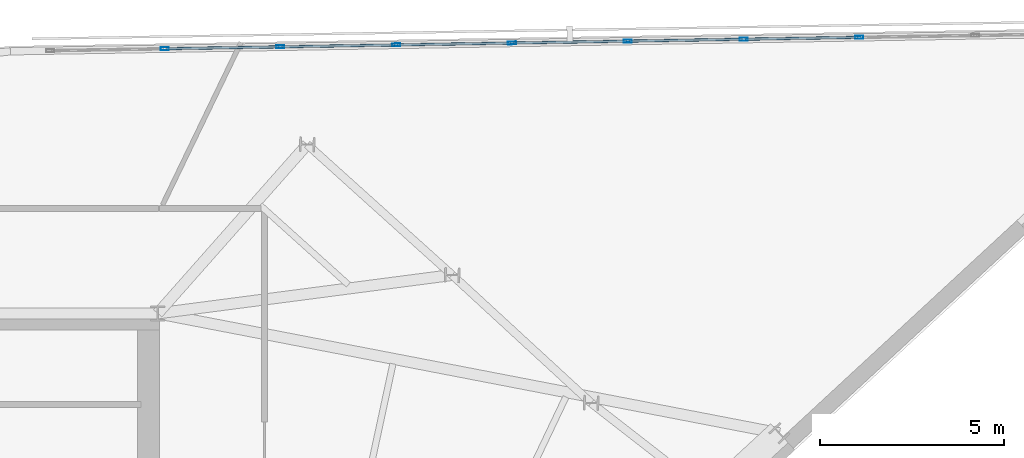
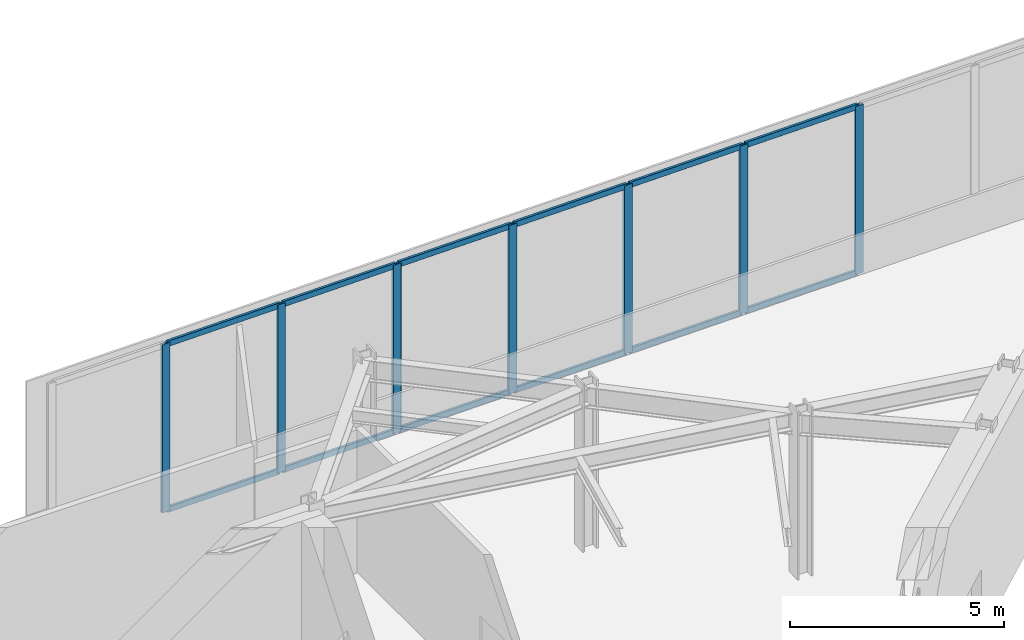
# One storey, part 6 of 12: 19 members, 1 element without a shape of its own.
"""IFC4 building model written with IfcOpenShell, lengths in metres."""

from ifc_helpers import new_model, si_unit, direction, frame, origin, origin_2d, place, context, subcontext, project, spatial, hollow_rectangle, extrude, material, material_profile, profile_set, type_object, element, aggregate, save


model = new_model("IFC4")

# Units and contexts
model_context = context("Model", 3, precision=1e-05, world=origin(), true_north=direction((0.0, 1.0)))
body_context = subcontext(model_context, "Body", "Model", "MODEL_VIEW")
ifc_project = project(units=[si_unit("LENGTHUNIT", "METRE"), si_unit("AREAUNIT", "SQUARE_METRE"), si_unit("VOLUMEUNIT", "CUBIC_METRE"), si_unit("PLANEANGLEUNIT", "RADIAN"), si_unit("MASSUNIT", "GRAM", prefix="KILO")], contexts=[model_context])

# Site, building, storey
site_placement = place(None, origin())
site = spatial("IfcSite", under=ifc_project, at=site_placement, CompositionType="ELEMENT")
building_placement = place(site_placement, origin())
building = spatial("IfcBuilding", under=site, at=building_placement, Name="Narakoshi Arena Tower", CompositionType="ELEMENT")
storey_placement = place(building_placement, frame((0.0, 0.0, 302.97998046875)))
storey = spatial("IfcBuildingStorey", under=building, at=storey_placement, Name="L82", CompositionType="ELEMENT", Elevation=302.97998046875)

# Curtain wall, members
ifc_material = material(Name="Anodised bronze aluminium 6063-T6", Category="aluminium")
curtain_wall_type = type_object("IfcCurtainWallType", Name="CW-CRN-FACET", PredefinedType="NOTDEFINED", material=ifc_material)
curtain_wall_placement = place(storey_placement, origin())
curtain_wall = element("IfcCurtainWall", 1, at=curtain_wall_placement, inside=storey, type_object=curtain_wall_type, Name="L82 Slanted-Cut Crown Curtain Wall 6-1", PredefinedType="NOTDEFINED")
ifc_material_profile_1 = material_profile(ifc_material, hollow_rectangle(XDim=0.080078125, YDim=0.219970703125, WallThickness=0.0048828125, OuterFilletRadius=0.006103515625, at=origin_2d()), Name="MUL220x80x5")
ifc_profile_set_1 = profile_set([ifc_material_profile_1], Name="Anodised bronze aluminium 6063-T6")
member_type_1 = type_object("IfcMemberType", Name="MEM-MUL-220", PredefinedType="MULLION", material=ifc_profile_set_1)
member_1_placement = place(storey_placement, frame((85.737548828125, 63.69189453125, 0.0), z_axis=(0.0, 0.0, 1.0), x_axis=(-0.016446618882, 0.999864745217, 0.0)))
member_1 = element("IfcMember", 2, at=member_1_placement, type_object=member_type_1, Name="CW-06 mullion 2", PredefinedType="MULLION", context=body_context, shape_type="SweptSolid", body=[
    extrude(hollow_rectangle(XDim=0.080078125, YDim=0.219970703125, WallThickness=0.0048828125, OuterFilletRadius=0.006103515625, at=origin_2d()), origin(), (0.0, 0.0, 1.0), 4.800048828125),
])
member_2_placement = place(storey_placement, frame((88.8837890625, 63.74365234375, 0.0), z_axis=(0.0, 0.0, 1.0), x_axis=(-0.016446618882, 0.999864745217, 0.0)))
member_2 = element("IfcMember", 3, at=member_2_placement, type_object=member_type_1, Name="CW-06 mullion 3", PredefinedType="MULLION", context=body_context, shape_type="SweptSolid", body=[
    extrude(hollow_rectangle(XDim=0.080078125, YDim=0.219970703125, WallThickness=0.0048828125, OuterFilletRadius=0.006103515625, at=origin_2d()), origin(), (0.0, 0.0, 1.0), 4.800048828125),
])
member_3_placement = place(storey_placement, frame((92.0302734375, 63.79541015625, 0.0), z_axis=(0.0, 0.0, 1.0), x_axis=(-0.016446618882, 0.999864745217, 0.0)))
member_3 = element("IfcMember", 4, at=member_3_placement, type_object=member_type_1, Name="CW-06 mullion 4", PredefinedType="MULLION", context=body_context, shape_type="SweptSolid", body=[
    extrude(hollow_rectangle(XDim=0.080078125, YDim=0.219970703125, WallThickness=0.0048828125, OuterFilletRadius=0.006103515625, at=origin_2d()), origin(), (0.0, 0.0, 1.0), 4.800048828125),
])
member_4_placement = place(storey_placement, frame((95.1767578125, 63.84716796875, 0.0), z_axis=(0.0, 0.0, 1.0), x_axis=(-0.016446618882, 0.999864745217, 0.0)))
member_4 = element("IfcMember", 5, at=member_4_placement, type_object=member_type_1, Name="CW-06 mullion 5", PredefinedType="MULLION", context=body_context, shape_type="SweptSolid", body=[
    extrude(hollow_rectangle(XDim=0.080078125, YDim=0.219970703125, WallThickness=0.0048828125, OuterFilletRadius=0.006103515625, at=origin_2d()), origin(), (0.0, 0.0, 1.0), 4.800048828125),
])
member_5_placement = place(storey_placement, frame((98.3232421875, 63.89892578125, 0.0), z_axis=(0.0, 0.0, 1.0), x_axis=(-0.016446618882, 0.999864745217, 0.0)))
member_5 = element("IfcMember", 6, at=member_5_placement, type_object=member_type_1, Name="CW-06 mullion 6", PredefinedType="MULLION", context=body_context, shape_type="SweptSolid", body=[
    extrude(hollow_rectangle(XDim=0.080078125, YDim=0.219970703125, WallThickness=0.0048828125, OuterFilletRadius=0.006103515625, at=origin_2d()), origin(), (0.0, 0.0, 1.0), 4.800048828125),
])
member_6_placement = place(storey_placement, frame((101.4697265625, 63.95068359375, 0.0), z_axis=(0.0, 0.0, 1.0), x_axis=(-0.016446618882, 0.999864745217, 0.0)))
member_6 = element("IfcMember", 7, at=member_6_placement, type_object=member_type_1, Name="CW-06 mullion 7", PredefinedType="MULLION", context=body_context, shape_type="SweptSolid", body=[
    extrude(hollow_rectangle(XDim=0.080078125, YDim=0.219970703125, WallThickness=0.0048828125, OuterFilletRadius=0.006103515625, at=origin_2d()), origin(), (0.0, 0.0, 1.0), 4.800048828125),
])
member_7_placement = place(storey_placement, frame((104.6162109375, 64.00244140625, 0.0), z_axis=(0.0, 0.0, 1.0), x_axis=(-0.016446618882, 0.999864745217, 0.0)))
member_7 = element("IfcMember", 8, at=member_7_placement, type_object=member_type_1, Name="CW-06 mullion 8", PredefinedType="MULLION", context=body_context, shape_type="SweptSolid", body=[
    extrude(hollow_rectangle(XDim=0.080078125, YDim=0.219970703125, WallThickness=0.0048828125, OuterFilletRadius=0.006103515625, at=origin_2d()), origin(), (0.0, 0.0, 1.0), 4.800048828125),
])
ifc_material_profile_2 = material_profile(ifc_material, hollow_rectangle(XDim=0.070068359375, YDim=0.159912109375, WallThickness=0.00390625, OuterFilletRadius=0.0048828125, at=origin_2d()), Name="TRN160x70x4")
ifc_profile_set_2 = profile_set([ifc_material_profile_2], Name="Anodised bronze aluminium 6063-T6")
member_type_2 = type_object("IfcMemberType", Name="MEM-TRN-160", PredefinedType="USERDEFINED", material=ifc_profile_set_2)
member_8_placement = place(storey_placement, frame((85.77734375, 63.692626953125, 0.034912109375), z_axis=(0.999865547643, 0.016397763141, 0.0), x_axis=(-0.016397763141, 0.999865547643, 0.0)))
member_8 = element("IfcMember", 9, at=member_8_placement, type_object=member_type_2, Name="CW-06 transom 2.1", ObjectType="TRANSOM", PredefinedType="USERDEFINED", context=body_context, shape_type="SweptSolid", body=[
    extrude(hollow_rectangle(XDim=0.070068359375, YDim=0.159912109375, WallThickness=0.00390625, OuterFilletRadius=0.0048828125, at=origin_2d()), origin(), (0.0, 0.0, 1.0), 3.067138671875),
])
member_9_placement = place(storey_placement, frame((85.77734375, 63.692626953125, 4.76513671875), z_axis=(0.999865547643, 0.016397763141, 0.0), x_axis=(-0.016397763141, 0.999865547643, 0.0)))
member_9 = element("IfcMember", 10, at=member_9_placement, type_object=member_type_2, Name="CW-06 transom 2.2", ObjectType="TRANSOM", PredefinedType="USERDEFINED", context=body_context, shape_type="SweptSolid", body=[
    extrude(hollow_rectangle(XDim=0.070068359375, YDim=0.159912109375, WallThickness=0.00390625, OuterFilletRadius=0.0048828125, at=origin_2d()), origin(), (0.0, 0.0, 1.0), 3.067138671875),
])
member_10_placement = place(storey_placement, frame((88.923828125, 63.744384765625, 0.034912109375), z_axis=(0.999865547643, 0.016397763141, 0.0), x_axis=(-0.016397763141, 0.999865547643, 0.0)))
member_10 = element("IfcMember", 11, at=member_10_placement, type_object=member_type_2, Name="CW-06 transom 3.1", ObjectType="TRANSOM", PredefinedType="USERDEFINED", context=body_context, shape_type="SweptSolid", body=[
    extrude(hollow_rectangle(XDim=0.070068359375, YDim=0.159912109375, WallThickness=0.00390625, OuterFilletRadius=0.0048828125, at=origin_2d()), origin(), (0.0, 0.0, 1.0), 3.067138671875),
])
member_11_placement = place(storey_placement, frame((88.923828125, 63.744384765625, 4.76513671875), z_axis=(0.999865547643, 0.016397763141, 0.0), x_axis=(-0.016397763141, 0.999865547643, 0.0)))
member_11 = element("IfcMember", 12, at=member_11_placement, type_object=member_type_2, Name="CW-06 transom 3.2", ObjectType="TRANSOM", PredefinedType="USERDEFINED", context=body_context, shape_type="SweptSolid", body=[
    extrude(hollow_rectangle(XDim=0.070068359375, YDim=0.159912109375, WallThickness=0.00390625, OuterFilletRadius=0.0048828125, at=origin_2d()), origin(), (0.0, 0.0, 1.0), 3.067138671875),
])
member_12_placement = place(storey_placement, frame((92.0703125, 63.796142578125, 0.034912109375), z_axis=(0.999865526237, 0.016399068344, 0.0), x_axis=(-0.016399068344, 0.999865526237, 0.0)))
member_12 = element("IfcMember", 13, at=member_12_placement, type_object=member_type_2, Name="CW-06 transom 4.1", ObjectType="TRANSOM", PredefinedType="USERDEFINED", context=body_context, shape_type="SweptSolid", body=[
    extrude(hollow_rectangle(XDim=0.070068359375, YDim=0.159912109375, WallThickness=0.00390625, OuterFilletRadius=0.0048828125, at=origin_2d()), origin(), (0.0, 0.0, 1.0), 3.06689453125),
])
member_13_placement = place(storey_placement, frame((92.0703125, 63.796142578125, 4.76513671875), z_axis=(0.999865526237, 0.016399068344, 0.0), x_axis=(-0.016399068344, 0.999865526237, 0.0)))
member_13 = element("IfcMember", 14, at=member_13_placement, type_object=member_type_2, Name="CW-06 transom 4.2", ObjectType="TRANSOM", PredefinedType="USERDEFINED", context=body_context, shape_type="SweptSolid", body=[
    extrude(hollow_rectangle(XDim=0.070068359375, YDim=0.159912109375, WallThickness=0.00390625, OuterFilletRadius=0.0048828125, at=origin_2d()), origin(), (0.0, 0.0, 1.0), 3.06689453125),
])
member_14_placement = place(storey_placement, frame((95.216796875, 63.847900390625, 0.034912109375), z_axis=(0.999865526237, 0.016399068344, 0.0), x_axis=(-0.016399068344, 0.999865526237, 0.0)))
member_14 = element("IfcMember", 15, at=member_14_placement, type_object=member_type_2, Name="CW-06 transom 5.1", ObjectType="TRANSOM", PredefinedType="USERDEFINED", context=body_context, shape_type="SweptSolid", body=[
    extrude(hollow_rectangle(XDim=0.070068359375, YDim=0.159912109375, WallThickness=0.00390625, OuterFilletRadius=0.0048828125, at=origin_2d()), origin(), (0.0, 0.0, 1.0), 3.06689453125),
])
member_15_placement = place(storey_placement, frame((95.216796875, 63.847900390625, 4.76513671875), z_axis=(0.999865526237, 0.016399068344, 0.0), x_axis=(-0.016399068344, 0.999865526237, 0.0)))
member_15 = element("IfcMember", 16, at=member_15_placement, type_object=member_type_2, Name="CW-06 transom 5.2", ObjectType="TRANSOM", PredefinedType="USERDEFINED", context=body_context, shape_type="SweptSolid", body=[
    extrude(hollow_rectangle(XDim=0.070068359375, YDim=0.159912109375, WallThickness=0.00390625, OuterFilletRadius=0.0048828125, at=origin_2d()), origin(), (0.0, 0.0, 1.0), 3.06689453125),
])
member_16_placement = place(storey_placement, frame((98.36328125, 63.8994140625, 0.034912109375), z_axis=(0.999864217764, 0.016478653907, 0.0), x_axis=(-0.016478653907, 0.999864217764, 0.0)))
member_16 = element("IfcMember", 17, at=member_16_placement, type_object=member_type_2, Name="CW-06 transom 6.1", ObjectType="TRANSOM", PredefinedType="USERDEFINED", context=body_context, shape_type="SweptSolid", body=[
    extrude(hollow_rectangle(XDim=0.070068359375, YDim=0.159912109375, WallThickness=0.00390625, OuterFilletRadius=0.0048828125, at=origin_2d()), origin(), (0.0, 0.0, 1.0), 3.06689453125),
])
member_17_placement = place(storey_placement, frame((98.36328125, 63.8994140625, 4.76513671875), z_axis=(0.999864217764, 0.016478653907, 0.0), x_axis=(-0.016478653907, 0.999864217764, 0.0)))
member_17 = element("IfcMember", 18, at=member_17_placement, type_object=member_type_2, Name="CW-06 transom 6.2", ObjectType="TRANSOM", PredefinedType="USERDEFINED", context=body_context, shape_type="SweptSolid", body=[
    extrude(hollow_rectangle(XDim=0.070068359375, YDim=0.159912109375, WallThickness=0.00390625, OuterFilletRadius=0.0048828125, at=origin_2d()), origin(), (0.0, 0.0, 1.0), 3.06689453125),
])
member_18_placement = place(storey_placement, frame((101.509765625, 63.951171875, 0.034912109375), z_axis=(0.999864217764, 0.016478653907, 0.0), x_axis=(-0.016478653907, 0.999864217764, 0.0)))
member_18 = element("IfcMember", 19, at=member_18_placement, type_object=member_type_2, Name="CW-06 transom 7.1", ObjectType="TRANSOM", PredefinedType="USERDEFINED", context=body_context, shape_type="SweptSolid", body=[
    extrude(hollow_rectangle(XDim=0.070068359375, YDim=0.159912109375, WallThickness=0.00390625, OuterFilletRadius=0.0048828125, at=origin_2d()), origin(), (0.0, 0.0, 1.0), 3.06689453125),
])
member_19_placement = place(storey_placement, frame((101.509765625, 63.951171875, 4.76513671875), z_axis=(0.999864217764, 0.016478653907, 0.0), x_axis=(-0.016478653907, 0.999864217764, 0.0)))
member_19 = element("IfcMember", 20, at=member_19_placement, type_object=member_type_2, Name="CW-06 transom 7.2", ObjectType="TRANSOM", PredefinedType="USERDEFINED", context=body_context, shape_type="SweptSolid", body=[
    extrude(hollow_rectangle(XDim=0.070068359375, YDim=0.159912109375, WallThickness=0.00390625, OuterFilletRadius=0.0048828125, at=origin_2d()), origin(), (0.0, 0.0, 1.0), 3.06689453125),
])
aggregate(curtain_wall, [member_1, member_2, member_3, member_4, member_5, member_6, member_7, member_8, member_9, member_10, member_11, member_12, member_13, member_14, member_15, member_16, member_17, member_18, member_19])

save(model, "model.ifc")
